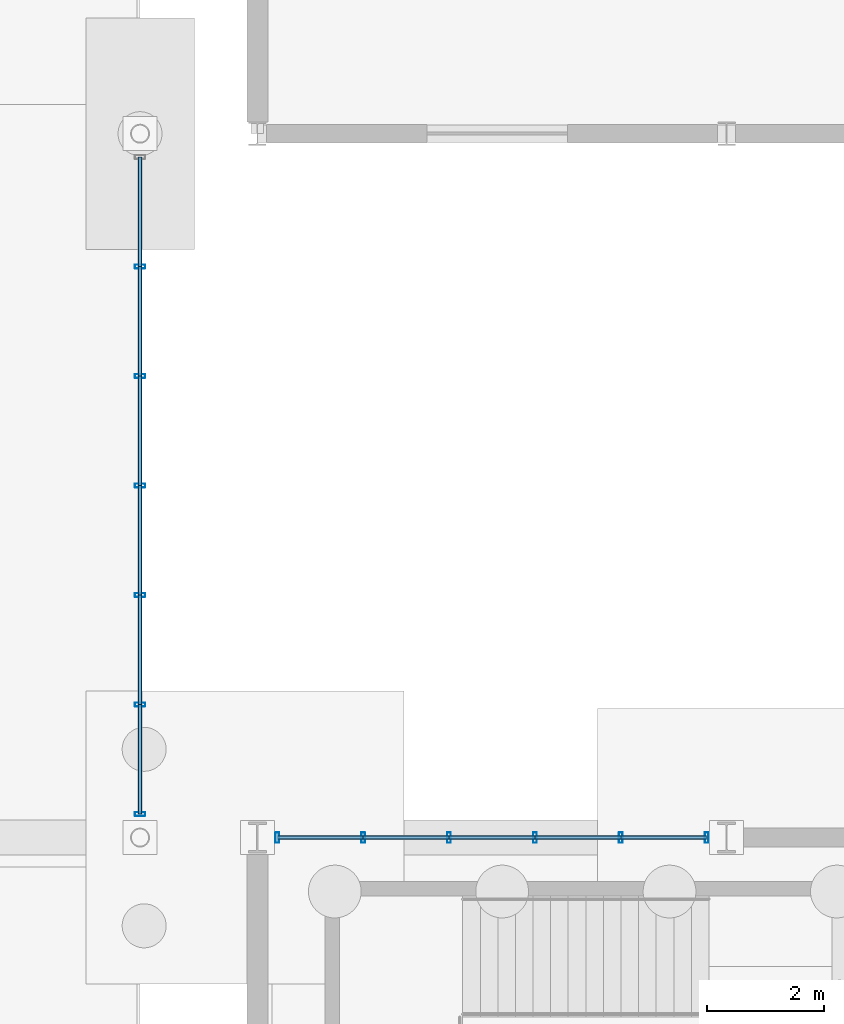
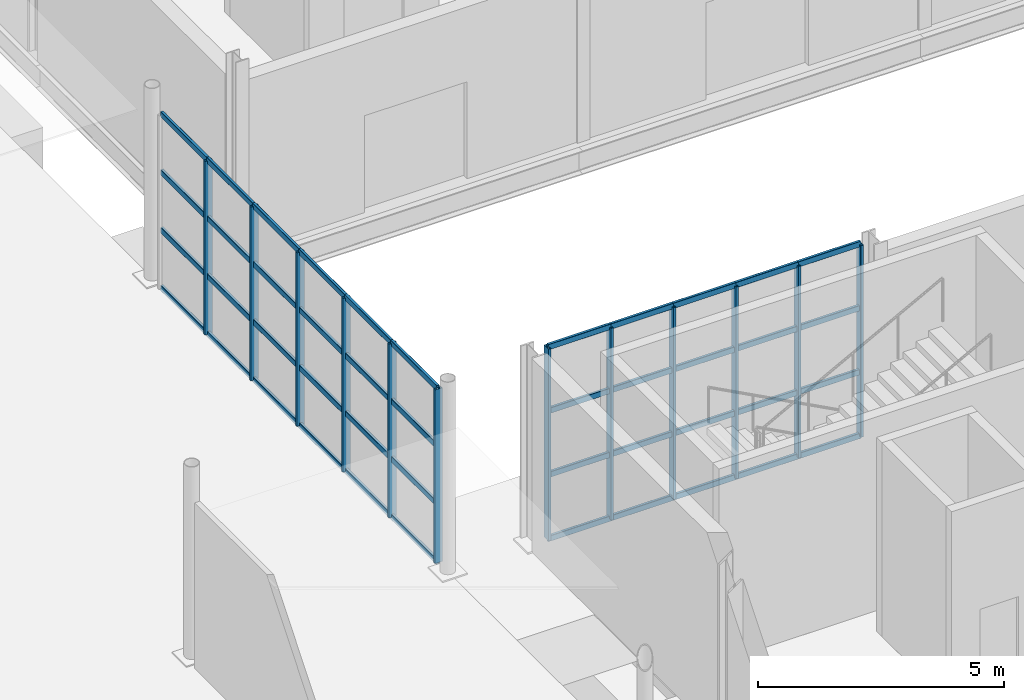
# One storey, part 37 of 101: 56 members, 2 elements without a shape of their own.
"""IFC4 building model written with IfcOpenShell, lengths in metres."""

from ifc_helpers import new_model, si_unit, derived_unit, direction, frame, origin, origin_2d, place, context, subcontext, project, spatial, hollow_rectangle, extrude, material, material_profile, profile_set, type_object, element, aggregate, save


model = new_model("IFC4")

# Units and contexts
model_context = context("Model", 3, precision=1e-05, world=origin(), true_north=direction((0.0, 1.0)))
body_context = subcontext(model_context, "Body", "Model", "MODEL_VIEW")
ifc_project = project(units=[si_unit("LENGTHUNIT", "METRE"), si_unit("AREAUNIT", "SQUARE_METRE"), si_unit("VOLUMEUNIT", "CUBIC_METRE"), si_unit("PLANEANGLEUNIT", "RADIAN"), si_unit("MASSUNIT", "GRAM", prefix="KILO"), derived_unit("THERMALTRANSMITTANCEUNIT", [(si_unit("POWERUNIT", "WATT"), 1), (si_unit("LENGTHUNIT", "METRE"), -2), (si_unit("THERMODYNAMICTEMPERATUREUNIT", "KELVIN"), -1)])], contexts=[model_context])

# Site, building, storey
site_placement = place(None, origin())
site = spatial("IfcSite", under=ifc_project, at=site_placement, CompositionType="ELEMENT")
building_placement = place(site_placement, origin())
building = spatial("IfcBuilding", under=site, at=building_placement, Name="Keldorne Ridge Multi-Sports Centre", CompositionType="ELEMENT")
storey_placement = place(building_placement, origin())
storey = spatial("IfcBuildingStorey", under=building, at=storey_placement, Name="L00", CompositionType="ELEMENT", Elevation=0.0)

# Curtain wall, members
ifc_material = material(Name="Anodized aluminium", Category="aluminium")
curtain_wall_type_1 = type_object("IfcCurtainWallType", Name="CW-CW-05", PredefinedType="NOTDEFINED", material=ifc_material)
curtain_wall_1_placement = place(storey_placement, origin())
curtain_wall_1 = element("IfcCurtainWall", 1, at=curtain_wall_1_placement, inside=storey, type_object=curtain_wall_type_1, Name="Passage east courtyard curtain wall L00 085", PredefinedType="NOTDEFINED")
ifc_material_profile_1 = material_profile(ifc_material, hollow_rectangle(XDim=0.06494140625, YDim=0.179931640625, WallThickness=0.00439453125, InnerFilletRadius=0.00439453125, OuterFilletRadius=0.009033203125, at=origin_2d()), Name="ALU MULLION 180x65x4.5")
ifc_profile_set_1 = profile_set([ifc_material_profile_1], Name="Anodized aluminium")
member_type_1 = type_object("IfcMemberType", Name="MEM-ML-01", PredefinedType="MULLION", material=ifc_profile_set_1)
member_1_placement = place(storey_placement, frame((102.0, 54.39990234375, 0.0), z_axis=(0.0, 0.0, 1.0), x_axis=(0.0, 1.0, 0.0)))
member_1 = element("IfcMember", 2, at=member_1_placement, type_object=member_type_1, Name="CW-085 vertical mullion 1", PredefinedType="MULLION", context=body_context, shape_type="SweptSolid", body=[
    extrude(hollow_rectangle(XDim=0.06494140625, YDim=0.179931640625, WallThickness=0.00439453125, InnerFilletRadius=0.00439453125, OuterFilletRadius=0.009033203125, at=origin_2d()), origin(), (0.0, 0.0, 1.0), 4.300048828125),
])
member_2_placement = place(storey_placement, frame((102.0, 56.2666015625, 0.0), z_axis=(0.0, 0.0, 1.0), x_axis=(0.0, 1.0, 0.0)))
member_2 = element("IfcMember", 3, at=member_2_placement, type_object=member_type_1, Name="CW-085 vertical mullion 2", PredefinedType="MULLION", context=body_context, shape_type="SweptSolid", body=[
    extrude(hollow_rectangle(XDim=0.06494140625, YDim=0.179931640625, WallThickness=0.00439453125, InnerFilletRadius=0.00439453125, OuterFilletRadius=0.009033203125, at=origin_2d()), origin(), (0.0, 0.0, 1.0), 4.300048828125),
])
member_3_placement = place(storey_placement, frame((102.0, 58.13330078125, 0.0), z_axis=(0.0, 0.0, 1.0), x_axis=(0.0, 1.0, 0.0)))
member_3 = element("IfcMember", 4, at=member_3_placement, type_object=member_type_1, Name="CW-085 vertical mullion 3", PredefinedType="MULLION", context=body_context, shape_type="SweptSolid", body=[
    extrude(hollow_rectangle(XDim=0.06494140625, YDim=0.179931640625, WallThickness=0.00439453125, InnerFilletRadius=0.00439453125, OuterFilletRadius=0.009033203125, at=origin_2d()), origin(), (0.0, 0.0, 1.0), 4.300048828125),
])
member_4_placement = place(storey_placement, frame((102.0, 60.0, 0.0), z_axis=(0.0, 0.0, 1.0), x_axis=(0.0, 1.0, 0.0)))
member_4 = element("IfcMember", 5, at=member_4_placement, type_object=member_type_1, Name="CW-085 vertical mullion 4", PredefinedType="MULLION", context=body_context, shape_type="SweptSolid", body=[
    extrude(hollow_rectangle(XDim=0.06494140625, YDim=0.179931640625, WallThickness=0.00439453125, InnerFilletRadius=0.00439453125, OuterFilletRadius=0.009033203125, at=origin_2d()), origin(), (0.0, 0.0, 1.0), 4.300048828125),
])
member_5_placement = place(storey_placement, frame((102.0, 61.86669921875, 0.0), z_axis=(0.0, 0.0, 1.0), x_axis=(0.0, 1.0, 0.0)))
member_5 = element("IfcMember", 6, at=member_5_placement, type_object=member_type_1, Name="CW-085 vertical mullion 5", PredefinedType="MULLION", context=body_context, shape_type="SweptSolid", body=[
    extrude(hollow_rectangle(XDim=0.06494140625, YDim=0.179931640625, WallThickness=0.00439453125, InnerFilletRadius=0.00439453125, OuterFilletRadius=0.009033203125, at=origin_2d()), origin(), (0.0, 0.0, 1.0), 4.300048828125),
])
member_6_placement = place(storey_placement, frame((102.0, 63.7333984375, 0.0), z_axis=(0.0, 0.0, 1.0), x_axis=(0.0, 1.0, 0.0)))
member_6 = element("IfcMember", 7, at=member_6_placement, type_object=member_type_1, Name="CW-085 vertical mullion 6", PredefinedType="MULLION", context=body_context, shape_type="SweptSolid", body=[
    extrude(hollow_rectangle(XDim=0.06494140625, YDim=0.179931640625, WallThickness=0.00439453125, InnerFilletRadius=0.00439453125, OuterFilletRadius=0.009033203125, at=origin_2d()), origin(), (0.0, 0.0, 1.0), 4.300048828125),
])

curtain_wall_type_2 = type_object("IfcCurtainWallType", Name="CW-CW-02", PredefinedType="NOTDEFINED", material=ifc_material)
curtain_wall_2_placement = place(storey_placement, origin())
curtain_wall_2 = element("IfcCurtainWall", 8, at=curtain_wall_2_placement, inside=storey, type_object=curtain_wall_type_2, Name="Lower Courts north glazing 090", PredefinedType="NOTDEFINED")
member_7_placement = place(storey_placement, frame((111.659912109375, 54.0, 0.0), z_axis=(0.0, 0.0, 1.0), x_axis=(1.0, 0.0, 0.0)))
member_7 = element("IfcMember", 9, at=member_7_placement, type_object=member_type_1, Name="CW-090 vertical mullion 1", PredefinedType="MULLION", context=body_context, shape_type="SweptSolid", body=[
    extrude(hollow_rectangle(XDim=0.06494140625, YDim=0.179931640625, WallThickness=0.00439453125, InnerFilletRadius=0.00439453125, OuterFilletRadius=0.009033203125, at=origin_2d()), origin(), (0.0, 0.0, 1.0), 4.75),
])
member_8_placement = place(storey_placement, frame((110.196044921875, 54.0, 0.0), z_axis=(0.0, 0.0, 1.0), x_axis=(1.0, 0.0, 0.0)))
member_8 = element("IfcMember", 10, at=member_8_placement, type_object=member_type_1, Name="CW-090 vertical mullion 2", PredefinedType="MULLION", context=body_context, shape_type="SweptSolid", body=[
    extrude(hollow_rectangle(XDim=0.06494140625, YDim=0.179931640625, WallThickness=0.00439453125, InnerFilletRadius=0.00439453125, OuterFilletRadius=0.009033203125, at=origin_2d()), origin(), (0.0, 0.0, 1.0), 4.75),
])
member_9_placement = place(storey_placement, frame((108.73193359375, 54.0, 0.0), z_axis=(0.0, 0.0, 1.0), x_axis=(1.0, 0.0, 0.0)))
member_9 = element("IfcMember", 11, at=member_9_placement, type_object=member_type_1, Name="CW-090 vertical mullion 3", PredefinedType="MULLION", context=body_context, shape_type="SweptSolid", body=[
    extrude(hollow_rectangle(XDim=0.06494140625, YDim=0.179931640625, WallThickness=0.00439453125, InnerFilletRadius=0.00439453125, OuterFilletRadius=0.009033203125, at=origin_2d()), origin(), (0.0, 0.0, 1.0), 4.75),
])
member_10_placement = place(storey_placement, frame((107.26806640625, 54.0, 0.0), z_axis=(0.0, 0.0, 1.0), x_axis=(1.0, 0.0, 0.0)))
member_10 = element("IfcMember", 12, at=member_10_placement, type_object=member_type_1, Name="CW-090 vertical mullion 4", PredefinedType="MULLION", context=body_context, shape_type="SweptSolid", body=[
    extrude(hollow_rectangle(XDim=0.06494140625, YDim=0.179931640625, WallThickness=0.00439453125, InnerFilletRadius=0.00439453125, OuterFilletRadius=0.009033203125, at=origin_2d()), origin(), (0.0, 0.0, 1.0), 4.75),
])
member_11_placement = place(storey_placement, frame((105.803955078125, 54.0, 0.0), z_axis=(0.0, 0.0, 1.0), x_axis=(1.0, 0.0, 0.0)))
member_11 = element("IfcMember", 13, at=member_11_placement, type_object=member_type_1, Name="CW-090 vertical mullion 5", PredefinedType="MULLION", context=body_context, shape_type="SweptSolid", body=[
    extrude(hollow_rectangle(XDim=0.06494140625, YDim=0.179931640625, WallThickness=0.00439453125, InnerFilletRadius=0.00439453125, OuterFilletRadius=0.009033203125, at=origin_2d()), origin(), (0.0, 0.0, 1.0), 4.75),
])
member_12_placement = place(storey_placement, frame((104.340087890625, 54.0, 0.0), z_axis=(0.0, 0.0, 1.0), x_axis=(1.0, 0.0, 0.0)))
member_12 = element("IfcMember", 14, at=member_12_placement, type_object=member_type_1, Name="CW-090 vertical mullion 6", PredefinedType="MULLION", context=body_context, shape_type="SweptSolid", body=[
    extrude(hollow_rectangle(XDim=0.06494140625, YDim=0.179931640625, WallThickness=0.00439453125, InnerFilletRadius=0.00439453125, OuterFilletRadius=0.009033203125, at=origin_2d()), origin(), (0.0, 0.0, 1.0), 4.75),
])

# Member
ifc_material_profile_2 = material_profile(ifc_material, hollow_rectangle(XDim=0.06494140625, YDim=0.139892578125, WallThickness=0.00439453125, InnerFilletRadius=0.00439453125, OuterFilletRadius=0.009033203125, at=origin_2d()), Name="ALU TRANSOM 140x65x4.5")
ifc_profile_set_2 = profile_set([ifc_material_profile_2], Name="Anodized aluminium")
member_type_2 = type_object("IfcMemberType", Name="MEM-TR-01", PredefinedType="USERDEFINED", material=ifc_profile_set_2)
member_13_placement = place(storey_placement, frame((102.0, 54.39990234375, 0.0), z_axis=(0.0, 1.0, 0.0), x_axis=(-1.0, 0.0, 0.0)))
member_13 = element("IfcMember", 15, at=member_13_placement, type_object=member_type_2, Name="CW-085 transom 1.1", ObjectType="TRANSOM", PredefinedType="USERDEFINED", context=body_context, shape_type="SweptSolid", body=[
    extrude(hollow_rectangle(XDim=0.06494140625, YDim=0.139892578125, WallThickness=0.00439453125, InnerFilletRadius=0.00439453125, OuterFilletRadius=0.009033203125, at=origin_2d()), origin(), (0.0, 0.0, 1.0), 1.86669921875),
])

member_14_placement = place(storey_placement, frame((102.0, 54.39990234375, 1.433349609375), z_axis=(0.0, 1.0, 0.0), x_axis=(-1.0, 0.0, 0.0)))
member_14 = element("IfcMember", 16, at=member_14_placement, type_object=member_type_2, Name="CW-085 transom 1.2", ObjectType="TRANSOM", PredefinedType="USERDEFINED", context=body_context, shape_type="SweptSolid", body=[
    extrude(hollow_rectangle(XDim=0.06494140625, YDim=0.139892578125, WallThickness=0.00439453125, InnerFilletRadius=0.00439453125, OuterFilletRadius=0.009033203125, at=origin_2d()), origin(), (0.0, 0.0, 1.0), 1.86669921875),
])

member_15_placement = place(storey_placement, frame((102.0, 54.39990234375, 2.86669921875), z_axis=(0.0, 1.0, 0.0), x_axis=(-1.0, 0.0, 0.0)))
member_15 = element("IfcMember", 17, at=member_15_placement, type_object=member_type_2, Name="CW-085 transom 1.3", ObjectType="TRANSOM", PredefinedType="USERDEFINED", context=body_context, shape_type="SweptSolid", body=[
    extrude(hollow_rectangle(XDim=0.06494140625, YDim=0.139892578125, WallThickness=0.00439453125, InnerFilletRadius=0.00439453125, OuterFilletRadius=0.009033203125, at=origin_2d()), origin(), (0.0, 0.0, 1.0), 1.86669921875),
])

member_16_placement = place(storey_placement, frame((102.0, 54.39990234375, 4.300048828125), z_axis=(0.0, 1.0, 0.0), x_axis=(-1.0, 0.0, 0.0)))
member_16 = element("IfcMember", 18, at=member_16_placement, type_object=member_type_2, Name="CW-085 transom 1.4", ObjectType="TRANSOM", PredefinedType="USERDEFINED", context=body_context, shape_type="SweptSolid", body=[
    extrude(hollow_rectangle(XDim=0.06494140625, YDim=0.139892578125, WallThickness=0.00439453125, InnerFilletRadius=0.00439453125, OuterFilletRadius=0.009033203125, at=origin_2d()), origin(), (0.0, 0.0, 1.0), 1.86669921875),
])

member_17_placement = place(storey_placement, frame((102.0, 56.2666015625, 0.0), z_axis=(0.0, 1.0, 0.0), x_axis=(-1.0, 0.0, 0.0)))
member_17 = element("IfcMember", 19, at=member_17_placement, type_object=member_type_2, Name="CW-085 transom 2.1", ObjectType="TRANSOM", PredefinedType="USERDEFINED", context=body_context, shape_type="SweptSolid", body=[
    extrude(hollow_rectangle(XDim=0.06494140625, YDim=0.139892578125, WallThickness=0.00439453125, InnerFilletRadius=0.00439453125, OuterFilletRadius=0.009033203125, at=origin_2d()), origin(), (0.0, 0.0, 1.0), 1.86669921875),
])

member_18_placement = place(storey_placement, frame((102.0, 56.2666015625, 1.433349609375), z_axis=(0.0, 1.0, 0.0), x_axis=(-1.0, 0.0, 0.0)))
member_18 = element("IfcMember", 20, at=member_18_placement, type_object=member_type_2, Name="CW-085 transom 2.2", ObjectType="TRANSOM", PredefinedType="USERDEFINED", context=body_context, shape_type="SweptSolid", body=[
    extrude(hollow_rectangle(XDim=0.06494140625, YDim=0.139892578125, WallThickness=0.00439453125, InnerFilletRadius=0.00439453125, OuterFilletRadius=0.009033203125, at=origin_2d()), origin(), (0.0, 0.0, 1.0), 1.86669921875),
])

member_19_placement = place(storey_placement, frame((102.0, 56.2666015625, 2.86669921875), z_axis=(0.0, 1.0, 0.0), x_axis=(-1.0, 0.0, 0.0)))
member_19 = element("IfcMember", 21, at=member_19_placement, type_object=member_type_2, Name="CW-085 transom 2.3", ObjectType="TRANSOM", PredefinedType="USERDEFINED", context=body_context, shape_type="SweptSolid", body=[
    extrude(hollow_rectangle(XDim=0.06494140625, YDim=0.139892578125, WallThickness=0.00439453125, InnerFilletRadius=0.00439453125, OuterFilletRadius=0.009033203125, at=origin_2d()), origin(), (0.0, 0.0, 1.0), 1.86669921875),
])

member_20_placement = place(storey_placement, frame((102.0, 56.2666015625, 4.300048828125), z_axis=(0.0, 1.0, 0.0), x_axis=(-1.0, 0.0, 0.0)))
member_20 = element("IfcMember", 22, at=member_20_placement, type_object=member_type_2, Name="CW-085 transom 2.4", ObjectType="TRANSOM", PredefinedType="USERDEFINED", context=body_context, shape_type="SweptSolid", body=[
    extrude(hollow_rectangle(XDim=0.06494140625, YDim=0.139892578125, WallThickness=0.00439453125, InnerFilletRadius=0.00439453125, OuterFilletRadius=0.009033203125, at=origin_2d()), origin(), (0.0, 0.0, 1.0), 1.86669921875),
])

member_21_placement = place(storey_placement, frame((102.0, 58.13330078125, 0.0), z_axis=(0.0, 1.0, 0.0), x_axis=(-1.0, 0.0, 0.0)))
member_21 = element("IfcMember", 23, at=member_21_placement, type_object=member_type_2, Name="CW-085 transom 3.1", ObjectType="TRANSOM", PredefinedType="USERDEFINED", context=body_context, shape_type="SweptSolid", body=[
    extrude(hollow_rectangle(XDim=0.06494140625, YDim=0.139892578125, WallThickness=0.00439453125, InnerFilletRadius=0.00439453125, OuterFilletRadius=0.009033203125, at=origin_2d()), origin(), (0.0, 0.0, 1.0), 1.86669921875),
])

member_22_placement = place(storey_placement, frame((102.0, 58.13330078125, 1.433349609375), z_axis=(0.0, 1.0, 0.0), x_axis=(-1.0, 0.0, 0.0)))
member_22 = element("IfcMember", 24, at=member_22_placement, type_object=member_type_2, Name="CW-085 transom 3.2", ObjectType="TRANSOM", PredefinedType="USERDEFINED", context=body_context, shape_type="SweptSolid", body=[
    extrude(hollow_rectangle(XDim=0.06494140625, YDim=0.139892578125, WallThickness=0.00439453125, InnerFilletRadius=0.00439453125, OuterFilletRadius=0.009033203125, at=origin_2d()), origin(), (0.0, 0.0, 1.0), 1.86669921875),
])

member_23_placement = place(storey_placement, frame((102.0, 58.13330078125, 2.86669921875), z_axis=(0.0, 1.0, 0.0), x_axis=(-1.0, 0.0, 0.0)))
member_23 = element("IfcMember", 25, at=member_23_placement, type_object=member_type_2, Name="CW-085 transom 3.3", ObjectType="TRANSOM", PredefinedType="USERDEFINED", context=body_context, shape_type="SweptSolid", body=[
    extrude(hollow_rectangle(XDim=0.06494140625, YDim=0.139892578125, WallThickness=0.00439453125, InnerFilletRadius=0.00439453125, OuterFilletRadius=0.009033203125, at=origin_2d()), origin(), (0.0, 0.0, 1.0), 1.86669921875),
])

member_24_placement = place(storey_placement, frame((102.0, 58.13330078125, 4.300048828125), z_axis=(0.0, 1.0, 0.0), x_axis=(-1.0, 0.0, 0.0)))
member_24 = element("IfcMember", 26, at=member_24_placement, type_object=member_type_2, Name="CW-085 transom 3.4", ObjectType="TRANSOM", PredefinedType="USERDEFINED", context=body_context, shape_type="SweptSolid", body=[
    extrude(hollow_rectangle(XDim=0.06494140625, YDim=0.139892578125, WallThickness=0.00439453125, InnerFilletRadius=0.00439453125, OuterFilletRadius=0.009033203125, at=origin_2d()), origin(), (0.0, 0.0, 1.0), 1.86669921875),
])

member_25_placement = place(storey_placement, frame((102.0, 60.0, 0.0), z_axis=(0.0, 1.0, 0.0), x_axis=(-1.0, 0.0, 0.0)))
member_25 = element("IfcMember", 27, at=member_25_placement, type_object=member_type_2, Name="CW-085 transom 4.1", ObjectType="TRANSOM", PredefinedType="USERDEFINED", context=body_context, shape_type="SweptSolid", body=[
    extrude(hollow_rectangle(XDim=0.06494140625, YDim=0.139892578125, WallThickness=0.00439453125, InnerFilletRadius=0.00439453125, OuterFilletRadius=0.009033203125, at=origin_2d()), origin(), (0.0, 0.0, 1.0), 1.86669921875),
])

member_26_placement = place(storey_placement, frame((102.0, 60.0, 1.433349609375), z_axis=(0.0, 1.0, 0.0), x_axis=(-1.0, 0.0, 0.0)))
member_26 = element("IfcMember", 28, at=member_26_placement, type_object=member_type_2, Name="CW-085 transom 4.2", ObjectType="TRANSOM", PredefinedType="USERDEFINED", context=body_context, shape_type="SweptSolid", body=[
    extrude(hollow_rectangle(XDim=0.06494140625, YDim=0.139892578125, WallThickness=0.00439453125, InnerFilletRadius=0.00439453125, OuterFilletRadius=0.009033203125, at=origin_2d()), origin(), (0.0, 0.0, 1.0), 1.86669921875),
])

member_27_placement = place(storey_placement, frame((102.0, 60.0, 2.86669921875), z_axis=(0.0, 1.0, 0.0), x_axis=(-1.0, 0.0, 0.0)))
member_27 = element("IfcMember", 29, at=member_27_placement, type_object=member_type_2, Name="CW-085 transom 4.3", ObjectType="TRANSOM", PredefinedType="USERDEFINED", context=body_context, shape_type="SweptSolid", body=[
    extrude(hollow_rectangle(XDim=0.06494140625, YDim=0.139892578125, WallThickness=0.00439453125, InnerFilletRadius=0.00439453125, OuterFilletRadius=0.009033203125, at=origin_2d()), origin(), (0.0, 0.0, 1.0), 1.86669921875),
])

member_28_placement = place(storey_placement, frame((102.0, 60.0, 4.300048828125), z_axis=(0.0, 1.0, 0.0), x_axis=(-1.0, 0.0, 0.0)))
member_28 = element("IfcMember", 30, at=member_28_placement, type_object=member_type_2, Name="CW-085 transom 4.4", ObjectType="TRANSOM", PredefinedType="USERDEFINED", context=body_context, shape_type="SweptSolid", body=[
    extrude(hollow_rectangle(XDim=0.06494140625, YDim=0.139892578125, WallThickness=0.00439453125, InnerFilletRadius=0.00439453125, OuterFilletRadius=0.009033203125, at=origin_2d()), origin(), (0.0, 0.0, 1.0), 1.86669921875),
])

member_29_placement = place(storey_placement, frame((102.0, 61.86669921875, 0.0), z_axis=(0.0, 1.0, 0.0), x_axis=(-1.0, 0.0, 0.0)))
member_29 = element("IfcMember", 31, at=member_29_placement, type_object=member_type_2, Name="CW-085 transom 5.1", ObjectType="TRANSOM", PredefinedType="USERDEFINED", context=body_context, shape_type="SweptSolid", body=[
    extrude(hollow_rectangle(XDim=0.06494140625, YDim=0.139892578125, WallThickness=0.00439453125, InnerFilletRadius=0.00439453125, OuterFilletRadius=0.009033203125, at=origin_2d()), origin(), (0.0, 0.0, 1.0), 1.86669921875),
])

member_30_placement = place(storey_placement, frame((102.0, 61.86669921875, 1.433349609375), z_axis=(0.0, 1.0, 0.0), x_axis=(-1.0, 0.0, 0.0)))
member_30 = element("IfcMember", 32, at=member_30_placement, type_object=member_type_2, Name="CW-085 transom 5.2", ObjectType="TRANSOM", PredefinedType="USERDEFINED", context=body_context, shape_type="SweptSolid", body=[
    extrude(hollow_rectangle(XDim=0.06494140625, YDim=0.139892578125, WallThickness=0.00439453125, InnerFilletRadius=0.00439453125, OuterFilletRadius=0.009033203125, at=origin_2d()), origin(), (0.0, 0.0, 1.0), 1.86669921875),
])

member_31_placement = place(storey_placement, frame((102.0, 61.86669921875, 2.86669921875), z_axis=(0.0, 1.0, 0.0), x_axis=(-1.0, 0.0, 0.0)))
member_31 = element("IfcMember", 33, at=member_31_placement, type_object=member_type_2, Name="CW-085 transom 5.3", ObjectType="TRANSOM", PredefinedType="USERDEFINED", context=body_context, shape_type="SweptSolid", body=[
    extrude(hollow_rectangle(XDim=0.06494140625, YDim=0.139892578125, WallThickness=0.00439453125, InnerFilletRadius=0.00439453125, OuterFilletRadius=0.009033203125, at=origin_2d()), origin(), (0.0, 0.0, 1.0), 1.86669921875),
])

member_32_placement = place(storey_placement, frame((102.0, 61.86669921875, 4.300048828125), z_axis=(0.0, 1.0, 0.0), x_axis=(-1.0, 0.0, 0.0)))
member_32 = element("IfcMember", 34, at=member_32_placement, type_object=member_type_2, Name="CW-085 transom 5.4", ObjectType="TRANSOM", PredefinedType="USERDEFINED", context=body_context, shape_type="SweptSolid", body=[
    extrude(hollow_rectangle(XDim=0.06494140625, YDim=0.139892578125, WallThickness=0.00439453125, InnerFilletRadius=0.00439453125, OuterFilletRadius=0.009033203125, at=origin_2d()), origin(), (0.0, 0.0, 1.0), 1.86669921875),
])

member_33_placement = place(storey_placement, frame((102.0, 63.7333984375, 0.0), z_axis=(0.0, 1.0, 0.0), x_axis=(-1.0, 0.0, 0.0)))
member_33 = element("IfcMember", 35, at=member_33_placement, type_object=member_type_2, Name="CW-085 transom 6.1", ObjectType="TRANSOM", PredefinedType="USERDEFINED", context=body_context, shape_type="SweptSolid", body=[
    extrude(hollow_rectangle(XDim=0.06494140625, YDim=0.139892578125, WallThickness=0.00439453125, InnerFilletRadius=0.00439453125, OuterFilletRadius=0.009033203125, at=origin_2d()), origin(), (0.0, 0.0, 1.0), 1.86669921875),
])

member_34_placement = place(storey_placement, frame((102.0, 63.7333984375, 1.433349609375), z_axis=(0.0, 1.0, 0.0), x_axis=(-1.0, 0.0, 0.0)))
member_34 = element("IfcMember", 36, at=member_34_placement, type_object=member_type_2, Name="CW-085 transom 6.2", ObjectType="TRANSOM", PredefinedType="USERDEFINED", context=body_context, shape_type="SweptSolid", body=[
    extrude(hollow_rectangle(XDim=0.06494140625, YDim=0.139892578125, WallThickness=0.00439453125, InnerFilletRadius=0.00439453125, OuterFilletRadius=0.009033203125, at=origin_2d()), origin(), (0.0, 0.0, 1.0), 1.86669921875),
])

member_35_placement = place(storey_placement, frame((102.0, 63.7333984375, 2.86669921875), z_axis=(0.0, 1.0, 0.0), x_axis=(-1.0, 0.0, 0.0)))
member_35 = element("IfcMember", 37, at=member_35_placement, type_object=member_type_2, Name="CW-085 transom 6.3", ObjectType="TRANSOM", PredefinedType="USERDEFINED", context=body_context, shape_type="SweptSolid", body=[
    extrude(hollow_rectangle(XDim=0.06494140625, YDim=0.139892578125, WallThickness=0.00439453125, InnerFilletRadius=0.00439453125, OuterFilletRadius=0.009033203125, at=origin_2d()), origin(), (0.0, 0.0, 1.0), 1.86669921875),
])

member_36_placement = place(storey_placement, frame((102.0, 63.7333984375, 4.300048828125), z_axis=(0.0, 1.0, 0.0), x_axis=(-1.0, 0.0, 0.0)))
member_36 = element("IfcMember", 38, at=member_36_placement, type_object=member_type_2, Name="CW-085 transom 6.4", ObjectType="TRANSOM", PredefinedType="USERDEFINED", context=body_context, shape_type="SweptSolid", body=[
    extrude(hollow_rectangle(XDim=0.06494140625, YDim=0.139892578125, WallThickness=0.00439453125, InnerFilletRadius=0.00439453125, OuterFilletRadius=0.009033203125, at=origin_2d()), origin(), (0.0, 0.0, 1.0), 1.86669921875),
])

aggregate(curtain_wall_1, [member_1, member_2, member_3, member_4, member_5, member_6, member_13, member_14, member_15, member_16, member_17, member_18, member_19, member_20, member_21, member_22, member_23, member_24, member_25, member_26, member_27, member_28, member_29, member_30, member_31, member_32, member_33, member_34, member_35, member_36])

member_37_placement = place(storey_placement, frame((111.659912109375, 54.0, 0.0), z_axis=(-1.0, 0.0, 0.0), x_axis=(0.0, -1.0, 0.0)))
member_37 = element("IfcMember", 39, at=member_37_placement, type_object=member_type_2, Name="CW-090 transom 1.1", ObjectType="TRANSOM", PredefinedType="USERDEFINED", context=body_context, shape_type="SweptSolid", body=[
    extrude(hollow_rectangle(XDim=0.06494140625, YDim=0.139892578125, WallThickness=0.00439453125, InnerFilletRadius=0.00439453125, OuterFilletRadius=0.009033203125, at=origin_2d()), origin(), (0.0, 0.0, 1.0), 1.4638671875),
])

member_38_placement = place(storey_placement, frame((111.659912109375, 54.0, 1.583251953125), z_axis=(-1.0, 0.0, 0.0), x_axis=(0.0, -1.0, 0.0)))
member_38 = element("IfcMember", 40, at=member_38_placement, type_object=member_type_2, Name="CW-090 transom 1.2", ObjectType="TRANSOM", PredefinedType="USERDEFINED", context=body_context, shape_type="SweptSolid", body=[
    extrude(hollow_rectangle(XDim=0.06494140625, YDim=0.139892578125, WallThickness=0.00439453125, InnerFilletRadius=0.00439453125, OuterFilletRadius=0.009033203125, at=origin_2d()), origin(), (0.0, 0.0, 1.0), 1.4638671875),
])

member_39_placement = place(storey_placement, frame((111.659912109375, 54.0, 3.166748046875), z_axis=(-1.0, 0.0, 0.0), x_axis=(0.0, -1.0, 0.0)))
member_39 = element("IfcMember", 41, at=member_39_placement, type_object=member_type_2, Name="CW-090 transom 1.3", ObjectType="TRANSOM", PredefinedType="USERDEFINED", context=body_context, shape_type="SweptSolid", body=[
    extrude(hollow_rectangle(XDim=0.06494140625, YDim=0.139892578125, WallThickness=0.00439453125, InnerFilletRadius=0.00439453125, OuterFilletRadius=0.009033203125, at=origin_2d()), origin(), (0.0, 0.0, 1.0), 1.4638671875),
])

member_40_placement = place(storey_placement, frame((111.659912109375, 54.0, 4.75), z_axis=(-1.0, 0.0, 0.0), x_axis=(0.0, -1.0, 0.0)))
member_40 = element("IfcMember", 42, at=member_40_placement, type_object=member_type_2, Name="CW-090 transom 1.4", ObjectType="TRANSOM", PredefinedType="USERDEFINED", context=body_context, shape_type="SweptSolid", body=[
    extrude(hollow_rectangle(XDim=0.06494140625, YDim=0.139892578125, WallThickness=0.00439453125, InnerFilletRadius=0.00439453125, OuterFilletRadius=0.009033203125, at=origin_2d()), origin(), (0.0, 0.0, 1.0), 1.4638671875),
])

member_41_placement = place(storey_placement, frame((110.196044921875, 54.0, 0.0), z_axis=(-1.0, 0.0, 0.0), x_axis=(0.0, -1.0, 0.0)))
member_41 = element("IfcMember", 43, at=member_41_placement, type_object=member_type_2, Name="CW-090 transom 2.1", ObjectType="TRANSOM", PredefinedType="USERDEFINED", context=body_context, shape_type="SweptSolid", body=[
    extrude(hollow_rectangle(XDim=0.06494140625, YDim=0.139892578125, WallThickness=0.00439453125, InnerFilletRadius=0.00439453125, OuterFilletRadius=0.009033203125, at=origin_2d()), origin(), (0.0, 0.0, 1.0), 1.464111328125),
])

member_42_placement = place(storey_placement, frame((110.196044921875, 54.0, 1.583251953125), z_axis=(-1.0, 0.0, 0.0), x_axis=(0.0, -1.0, 0.0)))
member_42 = element("IfcMember", 44, at=member_42_placement, type_object=member_type_2, Name="CW-090 transom 2.2", ObjectType="TRANSOM", PredefinedType="USERDEFINED", context=body_context, shape_type="SweptSolid", body=[
    extrude(hollow_rectangle(XDim=0.06494140625, YDim=0.139892578125, WallThickness=0.00439453125, InnerFilletRadius=0.00439453125, OuterFilletRadius=0.009033203125, at=origin_2d()), origin(), (0.0, 0.0, 1.0), 1.464111328125),
])

member_43_placement = place(storey_placement, frame((110.196044921875, 54.0, 3.166748046875), z_axis=(-1.0, 0.0, 0.0), x_axis=(0.0, -1.0, 0.0)))
member_43 = element("IfcMember", 45, at=member_43_placement, type_object=member_type_2, Name="CW-090 transom 2.3", ObjectType="TRANSOM", PredefinedType="USERDEFINED", context=body_context, shape_type="SweptSolid", body=[
    extrude(hollow_rectangle(XDim=0.06494140625, YDim=0.139892578125, WallThickness=0.00439453125, InnerFilletRadius=0.00439453125, OuterFilletRadius=0.009033203125, at=origin_2d()), origin(), (0.0, 0.0, 1.0), 1.464111328125),
])

member_44_placement = place(storey_placement, frame((110.196044921875, 54.0, 4.75), z_axis=(-1.0, 0.0, 0.0), x_axis=(0.0, -1.0, 0.0)))
member_44 = element("IfcMember", 46, at=member_44_placement, type_object=member_type_2, Name="CW-090 transom 2.4", ObjectType="TRANSOM", PredefinedType="USERDEFINED", context=body_context, shape_type="SweptSolid", body=[
    extrude(hollow_rectangle(XDim=0.06494140625, YDim=0.139892578125, WallThickness=0.00439453125, InnerFilletRadius=0.00439453125, OuterFilletRadius=0.009033203125, at=origin_2d()), origin(), (0.0, 0.0, 1.0), 1.464111328125),
])

member_45_placement = place(storey_placement, frame((108.73193359375, 54.0, 0.0), z_axis=(-1.0, 0.0, 0.0), x_axis=(0.0, -1.0, 0.0)))
member_45 = element("IfcMember", 47, at=member_45_placement, type_object=member_type_2, Name="CW-090 transom 3.1", ObjectType="TRANSOM", PredefinedType="USERDEFINED", context=body_context, shape_type="SweptSolid", body=[
    extrude(hollow_rectangle(XDim=0.06494140625, YDim=0.139892578125, WallThickness=0.00439453125, InnerFilletRadius=0.00439453125, OuterFilletRadius=0.009033203125, at=origin_2d()), origin(), (0.0, 0.0, 1.0), 1.4638671875),
])

member_46_placement = place(storey_placement, frame((108.73193359375, 54.0, 1.583251953125), z_axis=(-1.0, 0.0, 0.0), x_axis=(0.0, -1.0, 0.0)))
member_46 = element("IfcMember", 48, at=member_46_placement, type_object=member_type_2, Name="CW-090 transom 3.2", ObjectType="TRANSOM", PredefinedType="USERDEFINED", context=body_context, shape_type="SweptSolid", body=[
    extrude(hollow_rectangle(XDim=0.06494140625, YDim=0.139892578125, WallThickness=0.00439453125, InnerFilletRadius=0.00439453125, OuterFilletRadius=0.009033203125, at=origin_2d()), origin(), (0.0, 0.0, 1.0), 1.4638671875),
])

member_47_placement = place(storey_placement, frame((108.73193359375, 54.0, 3.166748046875), z_axis=(-1.0, 0.0, 0.0), x_axis=(0.0, -1.0, 0.0)))
member_47 = element("IfcMember", 49, at=member_47_placement, type_object=member_type_2, Name="CW-090 transom 3.3", ObjectType="TRANSOM", PredefinedType="USERDEFINED", context=body_context, shape_type="SweptSolid", body=[
    extrude(hollow_rectangle(XDim=0.06494140625, YDim=0.139892578125, WallThickness=0.00439453125, InnerFilletRadius=0.00439453125, OuterFilletRadius=0.009033203125, at=origin_2d()), origin(), (0.0, 0.0, 1.0), 1.4638671875),
])

member_48_placement = place(storey_placement, frame((108.73193359375, 54.0, 4.75), z_axis=(-1.0, 0.0, 0.0), x_axis=(0.0, -1.0, 0.0)))
member_48 = element("IfcMember", 50, at=member_48_placement, type_object=member_type_2, Name="CW-090 transom 3.4", ObjectType="TRANSOM", PredefinedType="USERDEFINED", context=body_context, shape_type="SweptSolid", body=[
    extrude(hollow_rectangle(XDim=0.06494140625, YDim=0.139892578125, WallThickness=0.00439453125, InnerFilletRadius=0.00439453125, OuterFilletRadius=0.009033203125, at=origin_2d()), origin(), (0.0, 0.0, 1.0), 1.4638671875),
])

member_49_placement = place(storey_placement, frame((107.26806640625, 54.0, 0.0), z_axis=(-1.0, 0.0, 0.0), x_axis=(0.0, -1.0, 0.0)))
member_49 = element("IfcMember", 51, at=member_49_placement, type_object=member_type_2, Name="CW-090 transom 4.1", ObjectType="TRANSOM", PredefinedType="USERDEFINED", context=body_context, shape_type="SweptSolid", body=[
    extrude(hollow_rectangle(XDim=0.06494140625, YDim=0.139892578125, WallThickness=0.00439453125, InnerFilletRadius=0.00439453125, OuterFilletRadius=0.009033203125, at=origin_2d()), origin(), (0.0, 0.0, 1.0), 1.464111328125),
])

member_50_placement = place(storey_placement, frame((107.26806640625, 54.0, 1.583251953125), z_axis=(-1.0, 0.0, 0.0), x_axis=(0.0, -1.0, 0.0)))
member_50 = element("IfcMember", 52, at=member_50_placement, type_object=member_type_2, Name="CW-090 transom 4.2", ObjectType="TRANSOM", PredefinedType="USERDEFINED", context=body_context, shape_type="SweptSolid", body=[
    extrude(hollow_rectangle(XDim=0.06494140625, YDim=0.139892578125, WallThickness=0.00439453125, InnerFilletRadius=0.00439453125, OuterFilletRadius=0.009033203125, at=origin_2d()), origin(), (0.0, 0.0, 1.0), 1.464111328125),
])

member_51_placement = place(storey_placement, frame((107.26806640625, 54.0, 3.166748046875), z_axis=(-1.0, 0.0, 0.0), x_axis=(0.0, -1.0, 0.0)))
member_51 = element("IfcMember", 53, at=member_51_placement, type_object=member_type_2, Name="CW-090 transom 4.3", ObjectType="TRANSOM", PredefinedType="USERDEFINED", context=body_context, shape_type="SweptSolid", body=[
    extrude(hollow_rectangle(XDim=0.06494140625, YDim=0.139892578125, WallThickness=0.00439453125, InnerFilletRadius=0.00439453125, OuterFilletRadius=0.009033203125, at=origin_2d()), origin(), (0.0, 0.0, 1.0), 1.464111328125),
])

member_52_placement = place(storey_placement, frame((107.26806640625, 54.0, 4.75), z_axis=(-1.0, 0.0, 0.0), x_axis=(0.0, -1.0, 0.0)))
member_52 = element("IfcMember", 54, at=member_52_placement, type_object=member_type_2, Name="CW-090 transom 4.4", ObjectType="TRANSOM", PredefinedType="USERDEFINED", context=body_context, shape_type="SweptSolid", body=[
    extrude(hollow_rectangle(XDim=0.06494140625, YDim=0.139892578125, WallThickness=0.00439453125, InnerFilletRadius=0.00439453125, OuterFilletRadius=0.009033203125, at=origin_2d()), origin(), (0.0, 0.0, 1.0), 1.464111328125),
])

member_53_placement = place(storey_placement, frame((105.803955078125, 54.0, 0.0), z_axis=(-1.0, 0.0, 0.0), x_axis=(0.0, -1.0, 0.0)))
member_53 = element("IfcMember", 55, at=member_53_placement, type_object=member_type_2, Name="CW-090 transom 5.1", ObjectType="TRANSOM", PredefinedType="USERDEFINED", context=body_context, shape_type="SweptSolid", body=[
    extrude(hollow_rectangle(XDim=0.06494140625, YDim=0.139892578125, WallThickness=0.00439453125, InnerFilletRadius=0.00439453125, OuterFilletRadius=0.009033203125, at=origin_2d()), origin(), (0.0, 0.0, 1.0), 1.4638671875),
])

member_54_placement = place(storey_placement, frame((105.803955078125, 54.0, 1.583251953125), z_axis=(-1.0, 0.0, 0.0), x_axis=(0.0, -1.0, 0.0)))
member_54 = element("IfcMember", 56, at=member_54_placement, type_object=member_type_2, Name="CW-090 transom 5.2", ObjectType="TRANSOM", PredefinedType="USERDEFINED", context=body_context, shape_type="SweptSolid", body=[
    extrude(hollow_rectangle(XDim=0.06494140625, YDim=0.139892578125, WallThickness=0.00439453125, InnerFilletRadius=0.00439453125, OuterFilletRadius=0.009033203125, at=origin_2d()), origin(), (0.0, 0.0, 1.0), 1.4638671875),
])

member_55_placement = place(storey_placement, frame((105.803955078125, 54.0, 3.166748046875), z_axis=(-1.0, 0.0, 0.0), x_axis=(0.0, -1.0, 0.0)))
member_55 = element("IfcMember", 57, at=member_55_placement, type_object=member_type_2, Name="CW-090 transom 5.3", ObjectType="TRANSOM", PredefinedType="USERDEFINED", context=body_context, shape_type="SweptSolid", body=[
    extrude(hollow_rectangle(XDim=0.06494140625, YDim=0.139892578125, WallThickness=0.00439453125, InnerFilletRadius=0.00439453125, OuterFilletRadius=0.009033203125, at=origin_2d()), origin(), (0.0, 0.0, 1.0), 1.4638671875),
])

member_56_placement = place(storey_placement, frame((105.803955078125, 54.0, 4.75), z_axis=(-1.0, 0.0, 0.0), x_axis=(0.0, -1.0, 0.0)))
member_56 = element("IfcMember", 58, at=member_56_placement, type_object=member_type_2, Name="CW-090 transom 5.4", ObjectType="TRANSOM", PredefinedType="USERDEFINED", context=body_context, shape_type="SweptSolid", body=[
    extrude(hollow_rectangle(XDim=0.06494140625, YDim=0.139892578125, WallThickness=0.00439453125, InnerFilletRadius=0.00439453125, OuterFilletRadius=0.009033203125, at=origin_2d()), origin(), (0.0, 0.0, 1.0), 1.4638671875),
])

aggregate(curtain_wall_2, [member_7, member_8, member_9, member_10, member_11, member_12, member_37, member_38, member_39, member_40, member_41, member_42, member_43, member_44, member_45, member_46, member_47, member_48, member_49, member_50, member_51, member_52, member_53, member_54, member_55, member_56])

save(model, "model.ifc")
